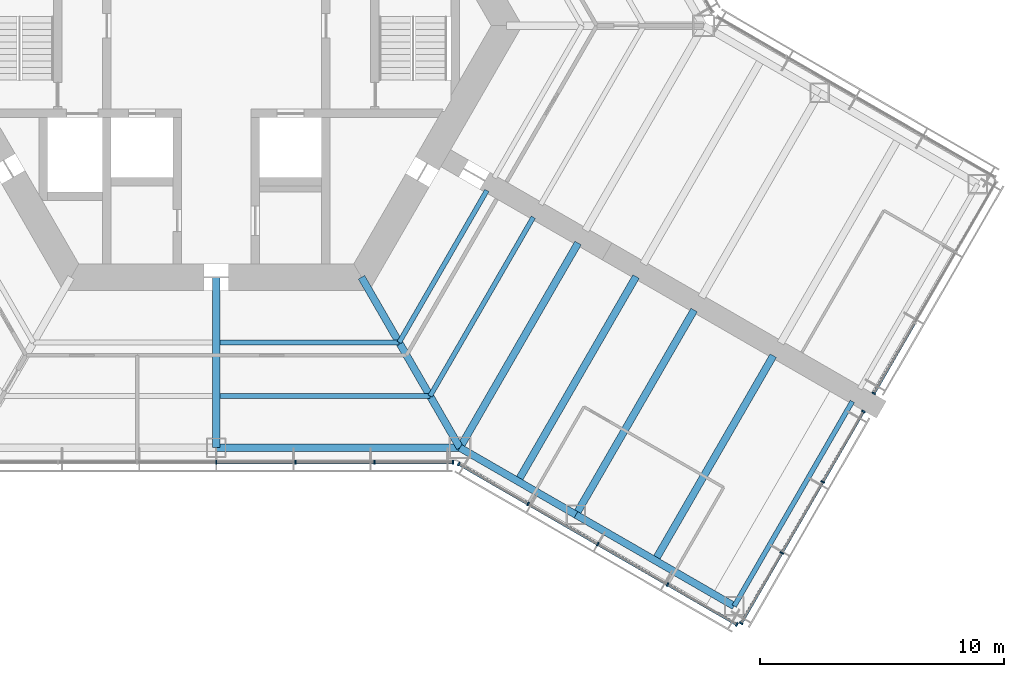
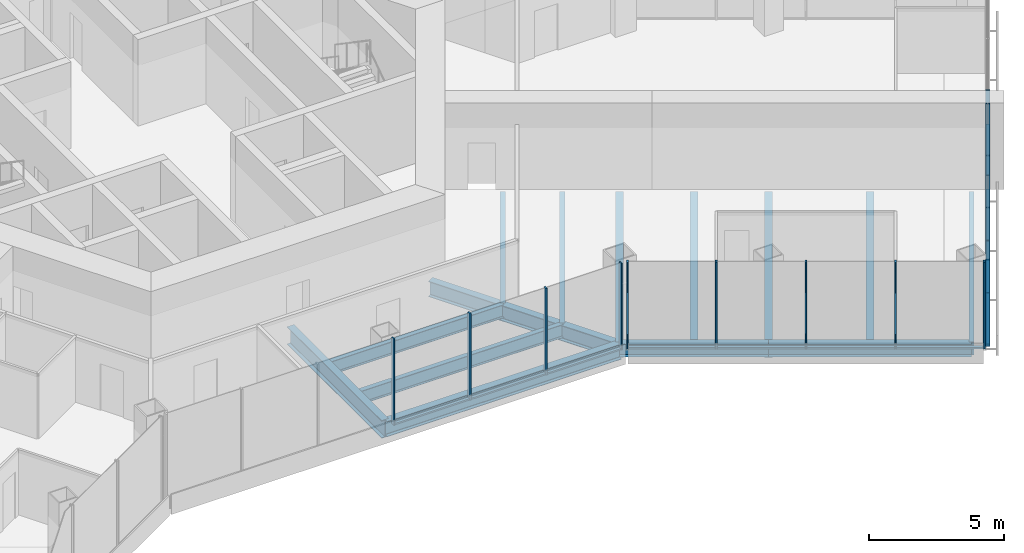
# One storey, part 5 of 18: 25 members, 14 beams, 4 elements without a shape of their own.
"""IFC4 building model written with IfcOpenShell, lengths in metres."""

from ifc_helpers import new_model, si_unit, direction, frame, origin, origin_2d, place, context, subcontext, project, spatial, rectangle, i_section, extrude, material, material_profile, profile_set, type_object, element, aggregate, save


model = new_model("IFC4")

# Units and contexts
model_context = context("Model", 3, precision=1e-05, world=origin(), true_north=direction((0.0, 1.0)))
body_context = subcontext(model_context, "Body", "Model", "MODEL_VIEW")
ifc_project = project(units=[si_unit("LENGTHUNIT", "METRE"), si_unit("AREAUNIT", "SQUARE_METRE"), si_unit("VOLUMEUNIT", "CUBIC_METRE"), si_unit("PLANEANGLEUNIT", "RADIAN"), si_unit("MASSUNIT", "GRAM", prefix="KILO")], contexts=[model_context])

# Site, building, storey
site_placement = place(None, origin())
site = spatial("IfcSite", under=ifc_project, at=site_placement, CompositionType="ELEMENT")
building_placement = place(site_placement, origin())
building = spatial("IfcBuilding", under=site, at=building_placement, Name="Kasaneha Research Tower", CompositionType="ELEMENT")
storey_placement = place(building_placement, frame((0.0, 0.0, 72.89990234375)))
storey = spatial("IfcBuildingStorey", under=building, at=storey_placement, Name="L18", CompositionType="ELEMENT", Elevation=72.89990234375)

# Beams
ifc_material_1 = material(Name="Steel SN490B", Category="steel")
ifc_material_profile_1 = material_profile(ifc_material_1, i_section(OverallWidth=0.199951171875, OverallDepth=0.60009765625, WebThickness=0.010986328125, FlangeThickness=0.01708984375, FilletRadius=0.012939453125, at=origin_2d()), Name="H-600x200x11x17")
ifc_profile_set_1 = profile_set([ifc_material_profile_1], Name="Steel SN490B")
beam_type_1 = type_object("IfcBeamType", Name="B1-3 secondary beam H-600x200x11x17", PredefinedType="JOIST", material=ifc_profile_set_1)
beam_1_placement = place(storey_placement, frame((7.505615234375, -13.0, -0.449951171875), z_axis=(-1.0, 0.0, 0.0), x_axis=(0.0, -1.0, 0.0)))
element("IfcBeam", 1, at=beam_1_placement, inside=storey, type_object=beam_type_1, Name="Secondary beam RS270R1 L18", PredefinedType="JOIST", context=body_context, shape_type="SweptSolid", body=[
    extrude(i_section(OverallWidth=0.199951171875, OverallDepth=0.60009765625, WebThickness=0.010986328125, FlangeThickness=0.01708984375, FilletRadius=0.012939453125, at=origin_2d()), origin(), (0.0, 0.0, 1.0), 7.355712890625),
])
beam_2_placement = place(storey_placement, frame((8.775634765625, -15.199951171875, -0.449951171875), z_axis=(-1.0, 0.0, 0.0), x_axis=(0.0, -1.0, 0.0)))
element("IfcBeam", 2, at=beam_2_placement, inside=storey, type_object=beam_type_1, Name="Secondary beam RS270R2 L18", PredefinedType="JOIST", context=body_context, shape_type="SweptSolid", body=[
    extrude(i_section(OverallWidth=0.199951171875, OverallDepth=0.60009765625, WebThickness=0.010986328125, FlangeThickness=0.01708984375, FilletRadius=0.012939453125, at=origin_2d()), origin(), (0.0, 0.0, 1.0), 8.625732421875),
])
beam_3_placement = place(storey_placement, frame((7.505615234375, -13.0, -0.449951171875), z_axis=(0.499998147991, 0.86602647304, 0.0), x_axis=(-0.86602647304, 0.499998147991, 0.0)))
element("IfcBeam", 3, at=beam_3_placement, inside=storey, type_object=beam_type_1, Name="Secondary beam RS330L1 L18", PredefinedType="JOIST", context=body_context, shape_type="SweptSolid", body=[
    extrude(i_section(OverallWidth=0.199951171875, OverallDepth=0.60009765625, WebThickness=0.010986328125, FlangeThickness=0.01708984375, FilletRadius=0.012939453125, at=origin_2d()), origin(), (0.0, 0.0, 1.0), 7.20556640625),
])
beam_4_placement = place(storey_placement, frame((8.775634765625, -15.199951171875, -0.449951171875), z_axis=(0.500020829043, 0.866013377797, 0.0), x_axis=(-0.866013377797, 0.500020829043, 0.0)))
element("IfcBeam", 4, at=beam_4_placement, inside=storey, type_object=beam_type_1, Name="Secondary beam RS330L2 L18", PredefinedType="JOIST", context=body_context, shape_type="SweptSolid", body=[
    extrude(i_section(OverallWidth=0.199951171875, OverallDepth=0.60009765625, WebThickness=0.010986328125, FlangeThickness=0.01708984375, FilletRadius=0.012939453125, at=origin_2d()), origin(), (0.0, 0.0, 1.0), 8.475830078125),
])
ifc_material_2 = material(Name="Steel SN490B", Category="steel")
ifc_material_profile_2 = material_profile(ifc_material_2, i_section(OverallWidth=0.300048828125, OverallDepth=0.58203125, WebThickness=0.011962890625, FlangeThickness=0.01708984375, FilletRadius=0.012939453125, at=origin_2d()), Name="H-582x300x12x17")
ifc_profile_set_2 = profile_set([ifc_material_profile_2], Name="Steel SN490B")
beam_type_2 = type_object("IfcBeamType", Name="B2-3 secondary beam H-582x300x12x17", PredefinedType="JOIST", material=ifc_profile_set_2)
for number, where, z_axis, x_axis, name in (
    (5, (12.381591796875, -18.695556640625, -0.44091796875), (0.500010041276, 0.866019606374, 0.0), (-0.866019606374, 0.500010041276, 0.0), "Secondary beam WBCP1 L18"),
    (6, (18.0107421875, -21.945556640625, -0.44091796875), (0.500010041276, 0.866019606374, 0.0), (-0.866019606374, 0.500010041276, 0.0), "Secondary beam WBCP2 L18"),
):
    element("IfcBeam", number, at=place(storey_placement, frame(where, z_axis=z_axis, x_axis=x_axis)), inside=storey, type_object=beam_type_2, Name=name, PredefinedType="JOIST", context=body_context, shape_type="SweptSolid", body=[
        extrude(i_section(OverallWidth=0.300048828125, OverallDepth=0.58203125, WebThickness=0.011962890625, FlangeThickness=0.01708984375, FilletRadius=0.012939453125, at=origin_2d()), origin(), (0.0, 0.0, 1.0), 9.699951171875),
    ])

# Curtain wall, members
ifc_material_3 = material(Name="Glass and aluminium", Category="aluminium")
curtain_wall_type = type_object("IfcCurtainWallType", Name="Low-rise office curtain wall", PredefinedType="USERDEFINED", material=ifc_material_3)
curtain_wall_1_placement = place(storey_placement, origin())
curtain_wall_1 = element("IfcCurtainWall", 7, at=curtain_wall_1_placement, inside=storey, type_object=curtain_wall_type, Name="CW-O1 L18 run 02a", ObjectType="UNITISED CURTAIN WALL", PredefinedType="USERDEFINED")
ifc_material_4 = material(Name="Aluminium 6063-T6", Category="aluminium")
ifc_material_profile_3 = material_profile(ifc_material_4, rectangle(XDim=0.06005859375, YDim=0.159912109375, at=origin_2d()), Name="CW-O1 mullion 60x160")
ifc_profile_set_3 = profile_set([ifc_material_profile_3], Name="Aluminium 6063-T6")
member_type_1 = type_object("IfcMemberType", Name="CW-O1 mullion", PredefinedType="MULLION", material=ifc_profile_set_3)
member_1_placement = place(storey_placement, frame((0.0, -17.92041015625, 0.0), z_axis=(0.0, 0.0, 1.0), x_axis=(1.0, 0.0, 0.0)))
member_1 = element("IfcMember", 8, at=member_1_placement, type_object=member_type_1, Name="CW-O1 mullion 4", PredefinedType="MULLION", context=body_context, shape_type="SweptSolid", body=[
    extrude(rectangle(XDim=0.06005859375, YDim=0.159912109375, at=origin_2d()), origin(), (0.0, 0.0, 1.0), 3.900146484375),
])
member_2_placement = place(storey_placement, frame((3.246337890625, -17.92041015625, 0.0), z_axis=(0.0, 0.0, 1.0), x_axis=(1.0, 0.0, 0.0)))
member_2 = element("IfcMember", 9, at=member_2_placement, type_object=member_type_1, Name="CW-O1 mullion 5", PredefinedType="MULLION", context=body_context, shape_type="SweptSolid", body=[
    extrude(rectangle(XDim=0.06005859375, YDim=0.159912109375, at=origin_2d()), origin(), (0.0, 0.0, 1.0), 3.900146484375),
])
member_3_placement = place(storey_placement, frame((6.492919921875, -17.92041015625, 0.0), z_axis=(0.0, 0.0, 1.0), x_axis=(1.0, 0.0, 0.0)))
member_3 = element("IfcMember", 10, at=member_3_placement, type_object=member_type_1, Name="CW-O1 mullion 6", PredefinedType="MULLION", context=body_context, shape_type="SweptSolid", body=[
    extrude(rectangle(XDim=0.06005859375, YDim=0.159912109375, at=origin_2d()), origin(), (0.0, 0.0, 1.0), 3.900146484375),
])
member_4_placement = place(storey_placement, frame((9.709228515625, -17.92041015625, 0.0), z_axis=(0.0, 0.0, 1.0), x_axis=(1.0, 0.0, 0.0)))
member_4 = element("IfcMember", 11, at=member_4_placement, type_object=member_type_1, Name="CW-O1 mullion 7", PredefinedType="MULLION", context=body_context, shape_type="SweptSolid", body=[
    extrude(rectangle(XDim=0.06005859375, YDim=0.159912109375, at=origin_2d()), origin(), (0.0, 0.0, 1.0), 3.900146484375),
])

curtain_wall_2_placement = place(storey_placement, origin())
curtain_wall_2 = element("IfcCurtainWall", 12, at=curtain_wall_2_placement, inside=storey, type_object=curtain_wall_type, Name="CW-O1 L18 run 03a", ObjectType="UNITISED CURTAIN WALL", PredefinedType="USERDEFINED")
member_5_placement = place(storey_placement, frame((9.951904296875, -17.985595703125, 0.0), z_axis=(0.0, 0.0, 1.0), x_axis=(0.866025411464, -0.499999986699, 0.0)))
member_5 = element("IfcMember", 13, at=member_5_placement, type_object=member_type_1, Name="CW-O1 mullion 1", PredefinedType="MULLION", context=body_context, shape_type="SweptSolid", body=[
    extrude(rectangle(XDim=0.06005859375, YDim=0.159912109375, at=origin_2d()), origin(), (0.0, 0.0, 1.0), 3.900146484375),
])
member_6_placement = place(storey_placement, frame((12.792236328125, -19.62548828125, 0.0), z_axis=(0.0, 0.0, 1.0), x_axis=(0.866025411464, -0.499999986699, 0.0)))
member_6 = element("IfcMember", 14, at=member_6_placement, type_object=member_type_1, Name="CW-O1 mullion 2", PredefinedType="MULLION", context=body_context, shape_type="SweptSolid", body=[
    extrude(rectangle(XDim=0.06005859375, YDim=0.159912109375, at=origin_2d()), origin(), (0.0, 0.0, 1.0), 3.900146484375),
])
member_7_placement = place(storey_placement, frame((15.65869140625, -21.2802734375, 0.0), z_axis=(0.0, 0.0, 1.0), x_axis=(0.866025411464, -0.499999986699, 0.0)))
member_7 = element("IfcMember", 15, at=member_7_placement, type_object=member_type_1, Name="CW-O1 mullion 3", PredefinedType="MULLION", context=body_context, shape_type="SweptSolid", body=[
    extrude(rectangle(XDim=0.06005859375, YDim=0.159912109375, at=origin_2d()), origin(), (0.0, 0.0, 1.0), 3.900146484375),
])
member_8_placement = place(storey_placement, frame((18.52490234375, -22.935302734375, 0.0), z_axis=(0.0, 0.0, 1.0), x_axis=(0.866025411464, -0.499999986699, 0.0)))
member_8 = element("IfcMember", 16, at=member_8_placement, type_object=member_type_1, Name="CW-O1 mullion 4", PredefinedType="MULLION", context=body_context, shape_type="SweptSolid", body=[
    extrude(rectangle(XDim=0.06005859375, YDim=0.159912109375, at=origin_2d()), origin(), (0.0, 0.0, 1.0), 3.900146484375),
])
member_9_placement = place(storey_placement, frame((21.365478515625, -24.5751953125, 0.0), z_axis=(0.0, 0.0, 1.0), x_axis=(0.866025411464, -0.499999986699, 0.0)))
member_9 = element("IfcMember", 17, at=member_9_placement, type_object=member_type_1, Name="CW-O1 mullion 5", PredefinedType="MULLION", context=body_context, shape_type="SweptSolid", body=[
    extrude(rectangle(XDim=0.06005859375, YDim=0.159912109375, at=origin_2d()), origin(), (0.0, 0.0, 1.0), 3.900146484375),
])

curtain_wall_3_placement = place(storey_placement, origin())
curtain_wall_3 = element("IfcCurtainWall", 18, at=curtain_wall_3_placement, inside=storey, type_object=curtain_wall_type, Name="CW-O1 L18 run 04a", ObjectType="UNITISED CURTAIN WALL", PredefinedType="USERDEFINED")
member_10_placement = place(storey_placement, frame((21.54296875, -24.527587890625, 0.0), z_axis=(0.0, 0.0, 1.0), x_axis=(0.500000011442, 0.866025397178, 0.0)))
member_10 = element("IfcMember", 19, at=member_10_placement, type_object=member_type_1, Name="CW-O1 mullion 1", PredefinedType="MULLION", context=body_context, shape_type="SweptSolid", body=[
    extrude(rectangle(XDim=0.06005859375, YDim=0.159912109375, at=origin_2d()), origin(), (0.0, 0.0, 1.0), 3.900146484375),
])
member_11_placement = place(storey_placement, frame((23.211181640625, -21.637939453125, 0.0), z_axis=(0.0, 0.0, 1.0), x_axis=(0.500000011442, 0.866025397178, 0.0)))
member_11 = element("IfcMember", 20, at=member_11_placement, type_object=member_type_1, Name="CW-O1 mullion 2", PredefinedType="MULLION", context=body_context, shape_type="SweptSolid", body=[
    extrude(rectangle(XDim=0.06005859375, YDim=0.159912109375, at=origin_2d()), origin(), (0.0, 0.0, 1.0), 3.900146484375),
])
member_12_placement = place(storey_placement, frame((24.89453125, -18.72216796875, 0.0), z_axis=(0.0, 0.0, 1.0), x_axis=(0.500000011442, 0.866025397178, 0.0)))
member_12 = element("IfcMember", 21, at=member_12_placement, type_object=member_type_1, Name="CW-O1 mullion 3", PredefinedType="MULLION", context=body_context, shape_type="SweptSolid", body=[
    extrude(rectangle(XDim=0.06005859375, YDim=0.159912109375, at=origin_2d()), origin(), (0.0, 0.0, 1.0), 3.900146484375),
])
member_13_placement = place(storey_placement, frame((26.56298828125, -15.832763671875, 0.0), z_axis=(0.0, 0.0, 1.0), x_axis=(0.500000011442, 0.866025397178, 0.0)))
member_13 = element("IfcMember", 22, at=member_13_placement, type_object=member_type_1, Name="CW-O1 mullion 4", PredefinedType="MULLION", context=body_context, shape_type="SweptSolid", body=[
    extrude(rectangle(XDim=0.06005859375, YDim=0.159912109375, at=origin_2d()), origin(), (0.0, 0.0, 1.0), 3.900146484375),
])

# Curtain wall, member
curtain_wall_4_placement = place(storey_placement, origin())
curtain_wall_4 = element("IfcCurtainWall", 23, at=curtain_wall_4_placement, inside=storey, type_object=curtain_wall_type, Name="CW-O1 L18 run 05a", ObjectType="UNITISED CURTAIN WALL", PredefinedType="USERDEFINED")
member_14_placement = place(storey_placement, frame((26.992919921875, -15.087890625, 0.0), z_axis=(0.0, 0.0, 1.0), x_axis=(0.500000011442, 0.866025397178, 0.0)))
member_14 = element("IfcMember", 24, at=member_14_placement, type_object=member_type_1, Name="CW-O1 mullion 1", PredefinedType="MULLION", context=body_context, shape_type="SweptSolid", body=[
    extrude(rectangle(XDim=0.06005859375, YDim=0.159912109375, at=origin_2d()), origin(), (0.0, 0.0, 1.0), 3.900146484375),
])

# Member
ifc_material_5 = material(Name="Aluminium 6063-T6", Category="aluminium")
ifc_material_profile_4 = material_profile(ifc_material_5, rectangle(XDim=0.1201171875, YDim=0.06005859375, at=origin_2d()), Name="CW-O1 transom 120x60")
ifc_profile_set_4 = profile_set([ifc_material_profile_4], Name="Aluminium 6063-T6")
member_type_2 = type_object("IfcMemberType", Name="CW-O1 transom", PredefinedType="USERDEFINED", material=ifc_profile_set_4)
member_15_placement = place(storey_placement, frame((0.030029296875, -17.92041015625, 0.030029296875), z_axis=(1.0, 0.0, 0.0), x_axis=(0.0, 1.0, 0.0)))
member_15 = element("IfcMember", 25, at=member_15_placement, type_object=member_type_2, Name="CW-O1 transom 4", ObjectType="TRANSOM", PredefinedType="USERDEFINED", context=body_context, shape_type="SweptSolid", body=[
    extrude(rectangle(XDim=0.1201171875, YDim=0.06005859375, at=origin_2d()), origin(), (0.0, 0.0, 1.0), 3.186279296875),
])

member_16_placement = place(storey_placement, frame((3.2763671875, -17.92041015625, 0.030029296875), z_axis=(1.0, 0.0, 0.0), x_axis=(0.0, 1.0, 0.0)))
member_16 = element("IfcMember", 26, at=member_16_placement, type_object=member_type_2, Name="CW-O1 transom 5", ObjectType="TRANSOM", PredefinedType="USERDEFINED", context=body_context, shape_type="SweptSolid", body=[
    extrude(rectangle(XDim=0.1201171875, YDim=0.06005859375, at=origin_2d()), origin(), (0.0, 0.0, 1.0), 3.1865234375),
])

member_17_placement = place(storey_placement, frame((6.522705078125, -17.92041015625, 0.030029296875), z_axis=(1.0, 0.0, 0.0), x_axis=(0.0, 1.0, 0.0)))
member_17 = element("IfcMember", 27, at=member_17_placement, type_object=member_type_2, Name="CW-O1 transom 6", ObjectType="TRANSOM", PredefinedType="USERDEFINED", context=body_context, shape_type="SweptSolid", body=[
    extrude(rectangle(XDim=0.1201171875, YDim=0.06005859375, at=origin_2d()), origin(), (0.0, 0.0, 1.0), 3.156494140625),
])

aggregate(curtain_wall_1, [member_1, member_2, member_3, member_4, member_15, member_16, member_17])

member_18_placement = place(storey_placement, frame((9.977783203125, -18.00048828125, 0.030029296875), z_axis=(0.866022692473, -0.500004696101, 0.0), x_axis=(0.500004696101, 0.866022692473, 0.0)))
member_18 = element("IfcMember", 28, at=member_18_placement, type_object=member_type_2, Name="CW-O1 transom 1", ObjectType="TRANSOM", PredefinedType="USERDEFINED", context=body_context, shape_type="SweptSolid", body=[
    extrude(rectangle(XDim=0.1201171875, YDim=0.06005859375, at=origin_2d()), origin(), (0.0, 0.0, 1.0), 3.2197265625),
])

member_19_placement = place(storey_placement, frame((12.818115234375, -19.640380859375, 0.030029296875), z_axis=(0.866015446554, -0.500017246033, 0.0), x_axis=(0.500017246033, 0.866015446554, 0.0)))
member_19 = element("IfcMember", 29, at=member_19_placement, type_object=member_type_2, Name="CW-O1 transom 2", ObjectType="TRANSOM", PredefinedType="USERDEFINED", context=body_context, shape_type="SweptSolid", body=[
    extrude(rectangle(XDim=0.1201171875, YDim=0.06005859375, at=origin_2d()), origin(), (0.0, 0.0, 1.0), 3.25),
])

member_20_placement = place(storey_placement, frame((15.6845703125, -21.29541015625, 0.030029296875), z_axis=(0.86604797581, -0.499960902066, 0.0), x_axis=(0.499960902066, 0.86604797581, 0.0)))
member_20 = element("IfcMember", 30, at=member_20_placement, type_object=member_type_2, Name="CW-O1 transom 3", ObjectType="TRANSOM", PredefinedType="USERDEFINED", context=body_context, shape_type="SweptSolid", body=[
    extrude(rectangle(XDim=0.1201171875, YDim=0.06005859375, at=origin_2d()), origin(), (0.0, 0.0, 1.0), 3.249755859375),
])

member_21_placement = place(storey_placement, frame((18.551025390625, -22.9501953125, 0.030029296875), z_axis=(0.866022692473, -0.500004696101, 0.0), x_axis=(0.500004696101, 0.866022692473, 0.0)))
member_21 = element("IfcMember", 31, at=member_21_placement, type_object=member_type_2, Name="CW-O1 transom 4", ObjectType="TRANSOM", PredefinedType="USERDEFINED", context=body_context, shape_type="SweptSolid", body=[
    extrude(rectangle(XDim=0.1201171875, YDim=0.06005859375, at=origin_2d()), origin(), (0.0, 0.0, 1.0), 3.2197265625),
])

aggregate(curtain_wall_2, [member_5, member_6, member_7, member_8, member_9, member_18, member_19, member_20, member_21])

member_22_placement = place(storey_placement, frame((21.557861328125, -24.50146484375, 0.030029296875), z_axis=(0.500025583411, 0.866010632691, 0.0), x_axis=(-0.866010632691, 0.500025583411, 0.0)))
member_22 = element("IfcMember", 32, at=member_22_placement, type_object=member_type_2, Name="CW-O1 transom 1", ObjectType="TRANSOM", PredefinedType="USERDEFINED", context=body_context, shape_type="SweptSolid", body=[
    extrude(rectangle(XDim=0.1201171875, YDim=0.06005859375, at=origin_2d()), origin(), (0.0, 0.0, 1.0), 3.276611328125),
])

member_23_placement = place(storey_placement, frame((23.226318359375, -21.61181640625, 0.030029296875), z_axis=(0.500014325468, 0.866017132814, 0.0), x_axis=(-0.866017132814, 0.500014325468, 0.0)))
member_23 = element("IfcMember", 33, at=member_23_placement, type_object=member_type_2, Name="CW-O1 transom 2", ObjectType="TRANSOM", PredefinedType="USERDEFINED", context=body_context, shape_type="SweptSolid", body=[
    extrude(rectangle(XDim=0.1201171875, YDim=0.06005859375, at=origin_2d()), origin(), (0.0, 0.0, 1.0), 3.306640625),
])

member_24_placement = place(storey_placement, frame((24.90966796875, -18.6962890625, 0.030029296875), z_axis=(0.499969700927, 0.866042896256, 0.0), x_axis=(-0.866042896256, 0.499969700927, 0.0)))
member_24 = element("IfcMember", 34, at=member_24_placement, type_object=member_type_2, Name="CW-O1 transom 3", ObjectType="TRANSOM", PredefinedType="USERDEFINED", context=body_context, shape_type="SweptSolid", body=[
    extrude(rectangle(XDim=0.1201171875, YDim=0.06005859375, at=origin_2d()), origin(), (0.0, 0.0, 1.0), 3.276611328125),
])

aggregate(curtain_wall_3, [member_10, member_11, member_12, member_13, member_22, member_23, member_24])

member_25_placement = place(storey_placement, frame((27.008056640625, -15.061767578125, 0.030029296875), z_axis=(0.499969700927, 0.866042896256, 0.0), x_axis=(-0.866042896256, 0.499969700927, 0.0)))
member_25 = element("IfcMember", 35, at=member_25_placement, type_object=member_type_2, Name="CW-O1 transom 1", ObjectType="TRANSOM", PredefinedType="USERDEFINED", context=body_context, shape_type="SweptSolid", body=[
    extrude(rectangle(XDim=0.1201171875, YDim=0.06005859375, at=origin_2d()), origin(), (0.0, 0.0, 1.0), 3.276611328125),
])

aggregate(curtain_wall_4, [member_14, member_25])

# Beams
ifc_material_6 = material(Name="Steel SN490B", Category="steel")
ifc_material_profile_5 = material_profile(ifc_material_6, i_section(OverallWidth=0.300048828125, OverallDepth=0.699951171875, WebThickness=0.012939453125, FlangeThickness=0.02392578125, FilletRadius=0.01806640625, at=origin_2d()), Name="H-700x300x13x24")
ifc_profile_set_5 = profile_set([ifc_material_profile_5], Name="Steel SN490B")
beam_type_3 = type_object("IfcBeamType", Name="G1-3 radial girder H-700x300x13x24", PredefinedType="BEAM", material=ifc_profile_set_5)
beam_5_placement = place(storey_placement, frame((5.961181640625, -10.324951171875, -0.5), z_axis=(0.49999105496, -0.866030568144, 0.0), x_axis=(0.866030568144, 0.49999105496, 0.0)))
element("IfcBeam", 36, at=beam_5_placement, inside=storey, type_object=beam_type_3, Name="Radial girder RV300 L18", PredefinedType="BEAM", context=body_context, shape_type="SweptSolid", body=[
    extrude(i_section(OverallWidth=0.300048828125, OverallDepth=0.699951171875, WebThickness=0.012939453125, FlangeThickness=0.02392578125, FilletRadius=0.01806640625, at=origin_2d()), origin(), (0.0, 0.0, 1.0), 8.077880859375),
])
ifc_material_7 = material(Name="Steel SN490B", Category="steel")
ifc_material_profile_6 = material_profile(ifc_material_7, i_section(OverallWidth=0.300048828125, OverallDepth=0.800048828125, WebThickness=0.013916015625, FlangeThickness=0.02587890625, FilletRadius=0.01806640625, at=origin_2d()), Name="H-800x300x14x26")
ifc_profile_set_6 = profile_set([ifc_material_profile_6], Name="Steel SN490B")
beam_type_4 = type_object("IfcBeamType", Name="G2-3 radial girder H-800x300x14x26", PredefinedType="BEAM", material=ifc_profile_set_6)
beam_6_placement = place(storey_placement, frame((0.0, -10.324951171875, -0.5498046875), z_axis=(0.0, -1.0, 0.0), x_axis=(1.0, 0.0, 0.0)))
element("IfcBeam", 37, at=beam_6_placement, inside=storey, type_object=beam_type_4, Name="Radial girder RM270 L18", PredefinedType="BEAM", context=body_context, shape_type="SweptSolid", body=[
    extrude(i_section(OverallWidth=0.300048828125, OverallDepth=0.800048828125, WebThickness=0.013916015625, FlangeThickness=0.02587890625, FilletRadius=0.01806640625, at=origin_2d()), origin(), (0.0, 0.0, 1.0), 6.99560546875),
])
ifc_material_8 = material(Name="Steel SN490B", Category="steel")
ifc_material_profile_7 = material_profile(ifc_material_8, i_section(OverallWidth=0.300048828125, OverallDepth=0.69189453125, WebThickness=0.012939453125, FlangeThickness=0.02001953125, FilletRadius=0.01806640625, at=origin_2d()), Name="H-692x300x13x20")
ifc_profile_set_7 = profile_set([ifc_material_profile_7], Name="Steel SN490B")
beam_type_5 = type_object("IfcBeamType", Name="G3-3 plate edge girder H-692x300x13x20", PredefinedType="BEAM", material=ifc_profile_set_7)
beam_7_placement = place(storey_placement, frame((10.0, -17.320556640625, -0.495849609375), z_axis=(0.500010041276, 0.866019606374, 0.0), x_axis=(-0.866019606374, 0.500010041276, 0.0)))
element("IfcBeam", 38, at=beam_7_placement, inside=storey, type_object=beam_type_5, Name="Plate edge girder PECP L18", PredefinedType="BEAM", context=body_context, shape_type="SweptSolid", body=[
    extrude(i_section(OverallWidth=0.300048828125, OverallDepth=0.69189453125, WebThickness=0.012939453125, FlangeThickness=0.02001953125, FilletRadius=0.01806640625, at=origin_2d()), origin(), (0.0, 0.0, 1.0), 9.699951171875),
])
ifc_material_9 = material(Name="Steel SN490B", Category="steel")
ifc_material_profile_8 = material_profile(ifc_material_9, i_section(OverallWidth=0.300048828125, OverallDepth=0.699951171875, WebThickness=0.012939453125, FlangeThickness=0.02392578125, FilletRadius=0.01806640625, at=origin_2d()), Name="H-700x300x13x24")
ifc_profile_set_8 = profile_set([ifc_material_profile_8], Name="Steel SN490B")
beam_type_6 = type_object("IfcBeamType", Name="G4-3 wing girder H-700x300x13x24", PredefinedType="BEAM", material=ifc_profile_set_8)
beam_8_placement = place(storey_placement, frame((14.76318359375, -20.070556640625, -0.5), z_axis=(0.499991164321, 0.866030505006, 0.0), x_axis=(-0.866030505006, 0.499991164321, 0.0)))
element("IfcBeam", 39, at=beam_8_placement, inside=storey, type_object=beam_type_6, Name="Wing girder WGCP L18", PredefinedType="BEAM", context=body_context, shape_type="SweptSolid", body=[
    extrude(i_section(OverallWidth=0.300048828125, OverallDepth=0.699951171875, WebThickness=0.012939453125, FlangeThickness=0.02392578125, FilletRadius=0.01806640625, at=origin_2d()), origin(), (0.0, 0.0, 1.0), 9.699951171875),
])
ifc_material_10 = material(Name="Steel SN490B", Category="steel")
ifc_material_profile_9 = material_profile(ifc_material_10, i_section(OverallWidth=0.300048828125, OverallDepth=0.69189453125, WebThickness=0.012939453125, FlangeThickness=0.02001953125, FilletRadius=0.01806640625, at=origin_2d()), Name="H-692x300x13x20")
ifc_profile_set_9 = profile_set([ifc_material_profile_9], Name="Steel SN490B")
beam_type_7 = type_object("IfcBeamType", Name="SB1-3 spandrel beam H-692x300x13x20", PredefinedType="SPANDREL", material=ifc_profile_set_9)
beam_9_placement = place(storey_placement, frame((10.0, -17.320556640625, -0.495849609375), z_axis=(-1.0, 0.0, 0.0), x_axis=(0.0, -1.0, 0.0)))
element("IfcBeam", 40, at=beam_9_placement, inside=storey, type_object=beam_type_7, Name="Spandrel beam SR270R L18", PredefinedType="SPANDREL", context=body_context, shape_type="SweptSolid", body=[
    extrude(i_section(OverallWidth=0.300048828125, OverallDepth=0.69189453125, WebThickness=0.012939453125, FlangeThickness=0.02001953125, FilletRadius=0.01806640625, at=origin_2d()), origin(), (0.0, 0.0, 1.0), 10.0),
])
ifc_material_11 = material(Name="Steel SN490B", Category="steel")
ifc_material_profile_10 = material_profile(ifc_material_11, i_section(OverallWidth=0.300048828125, OverallDepth=0.58203125, WebThickness=0.011962890625, FlangeThickness=0.01708984375, FilletRadius=0.012939453125, at=origin_2d()), Name="H-582x300x12x17")
ifc_profile_set_10 = profile_set([ifc_material_profile_10], Name="Steel SN490B")
beam_type_8 = type_object("IfcBeamType", Name="SB2-3 spandrel beam H-582x300x12x17", PredefinedType="SPANDREL", material=ifc_profile_set_10)
beam_10_placement = place(storey_placement, frame((10.0, -17.320556640625, -0.44091796875), z_axis=(0.866027397988, -0.499996545922, 0.0), x_axis=(0.499996545922, 0.866027397988, 0.0)))
element("IfcBeam", 41, at=beam_10_placement, inside=storey, type_object=beam_type_8, Name="Spandrel beam WSCP1 L18", PredefinedType="SPANDREL", context=body_context, shape_type="SweptSolid", body=[
    extrude(i_section(OverallWidth=0.300048828125, OverallDepth=0.58203125, WebThickness=0.011962890625, FlangeThickness=0.01708984375, FilletRadius=0.012939453125, at=origin_2d()), origin(), (0.0, 0.0, 1.0), 5.5),
])
beam_11_placement = place(storey_placement, frame((14.76318359375, -20.070556640625, -0.44091796875), z_axis=(0.866022959057, -0.500004234368, 0.0), x_axis=(0.500004234368, 0.866022959057, 0.0)))
element("IfcBeam", 42, at=beam_11_placement, inside=storey, type_object=beam_type_8, Name="Spandrel beam WSCP2 L18", PredefinedType="SPANDREL", context=body_context, shape_type="SweptSolid", body=[
    extrude(i_section(OverallWidth=0.300048828125, OverallDepth=0.58203125, WebThickness=0.011962890625, FlangeThickness=0.01708984375, FilletRadius=0.012939453125, at=origin_2d()), origin(), (0.0, 0.0, 1.0), 7.5),
])
ifc_material_12 = material(Name="Steel SN490B", Category="steel")
ifc_material_profile_11 = material_profile(ifc_material_12, i_section(OverallWidth=0.199951171875, OverallDepth=0.60009765625, WebThickness=0.010986328125, FlangeThickness=0.01708984375, FilletRadius=0.012939453125, at=origin_2d()), Name="H-600x200x11x17")
ifc_profile_set_11 = profile_set([ifc_material_profile_11], Name="Steel SN490B")
beam_type_9 = type_object("IfcBeamType", Name="SB3-3 spandrel beam H-600x200x11x17", PredefinedType="SPANDREL", material=ifc_profile_set_11)
beam_12_placement = place(storey_placement, frame((21.25830078125, -23.820556640625, -0.449951171875), z_axis=(0.500010041276, 0.866019606374, 0.0), x_axis=(-0.866019606374, 0.500010041276, 0.0)))
element("IfcBeam", 43, at=beam_12_placement, inside=storey, type_object=beam_type_9, Name="Spandrel beam WTCP L18", PredefinedType="SPANDREL", context=body_context, shape_type="SweptSolid", body=[
    extrude(i_section(OverallWidth=0.199951171875, OverallDepth=0.60009765625, WebThickness=0.010986328125, FlangeThickness=0.01708984375, FilletRadius=0.012939453125, at=origin_2d()), origin(), (0.0, 0.0, 1.0), 9.699951171875),
])

save(model, "model.ifc")
